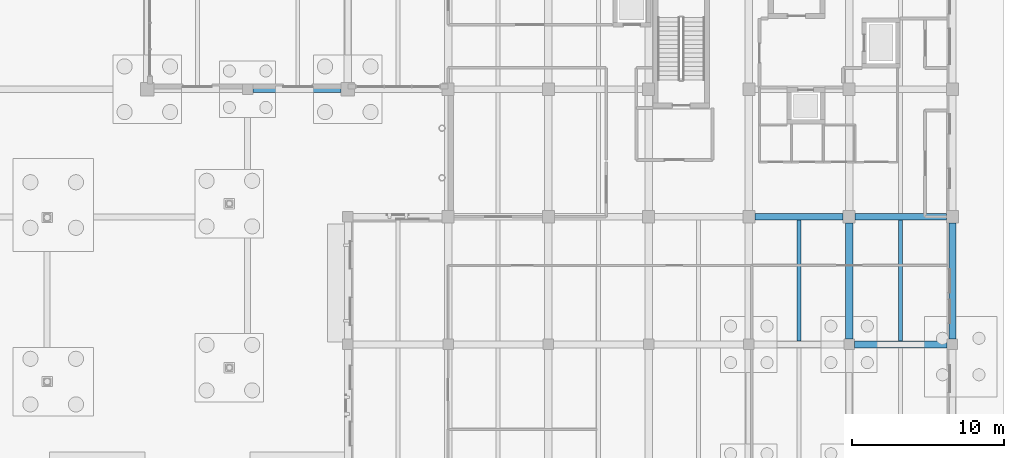
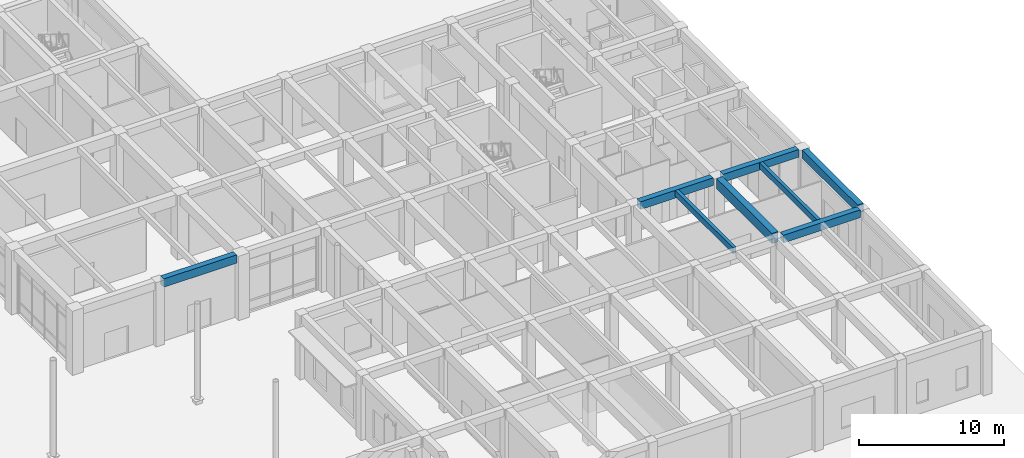
# One storey, part 36 of 82: 8 beams.
"""IFC4 building model written with IfcOpenShell, lengths in metres."""

from ifc_helpers import new_model, si_unit, direction, frame, origin, origin_2d, place, context, subcontext, project, spatial, rectangle, extrude, material, material_profile, profile_set, type_object, element, save


model = new_model("IFC4")

# Units and contexts
model_context = context("Model", 3, precision=1e-05, world=origin(), true_north=direction((0.0, 1.0)))
body_context = subcontext(model_context, "Body", "Model", "MODEL_VIEW")
ifc_project = project(units=[si_unit("LENGTHUNIT", "METRE"), si_unit("AREAUNIT", "SQUARE_METRE"), si_unit("VOLUMEUNIT", "CUBIC_METRE"), si_unit("PLANEANGLEUNIT", "RADIAN"), si_unit("MASSUNIT", "GRAM", prefix="KILO")], contexts=[model_context])

# Site, building, storey
site_placement = place(None, origin())
site = spatial("IfcSite", under=ifc_project, at=site_placement, CompositionType="ELEMENT")
building_placement = place(site_placement, origin())
building = spatial("IfcBuilding", under=site, at=building_placement, Name="Kolvaren Faculty of Natural Sciences", CompositionType="ELEMENT")
storey_placement = place(building_placement, origin())
storey = spatial("IfcBuildingStorey", under=building, at=storey_placement, Name="L00", CompositionType="ELEMENT", Elevation=0.0)

# Beams
ifc_material = material(Name="Concrete C35/45", Category="concrete")
ifc_material_profile_1 = material_profile(ifc_material, rectangle(XDim=0.449951171875, YDim=0.64990234375, at=origin_2d()), Name="RC BM 450x650")
ifc_profile_set_1 = profile_set([ifc_material_profile_1], Name="Concrete C35/45")
beam_type_1 = type_object("IfcBeamType", Name="GridBeam_450x650", PredefinedType="BEAM", material=ifc_profile_set_1)
beam_1_placement = place(storey_placement, frame((165.550048828125, 50.60009765625, 5.074951171875), z_axis=(1.0, 0.0, 0.0), x_axis=(0.0, 1.0, 0.0)))
element("IfcBeam", 1, at=beam_1_placement, inside=storey, type_object=beam_type_1, Name="L00 beam BM-65 on grid G", PredefinedType="BEAM", context=body_context, shape_type="SweptSolid", body=[
    extrude(rectangle(XDim=0.449951171875, YDim=0.64990234375, at=origin_2d()), origin(), (0.0, 0.0, 1.0), 6.099853515625),
])
beam_2_placement = place(storey_placement, frame((159.0, 59.0, 5.074951171875), z_axis=(1.0, 0.0, 0.0), x_axis=(0.0, 1.0, 0.0)))
element("IfcBeam", 2, at=beam_2_placement, inside=storey, type_object=beam_type_1, Name="L00 beam BM-65 on grid H", PredefinedType="BEAM", context=body_context, shape_type="SweptSolid", body=[
    extrude(rectangle(XDim=0.449951171875, YDim=0.64990234375, at=origin_2d()), origin(), (0.0, 0.0, 1.0), 5.800048828125),
])
beam_3_placement = place(storey_placement, frame((165.60009765625, 59.0, 5.074951171875), z_axis=(1.0, 0.0, 0.0), x_axis=(0.0, 1.0, 0.0)))
element("IfcBeam", 3, at=beam_3_placement, inside=storey, type_object=beam_type_1, Name="L00 beam BM-65 on grid H", PredefinedType="BEAM", context=body_context, shape_type="SweptSolid", body=[
    extrude(rectangle(XDim=0.449951171875, YDim=0.64990234375, at=origin_2d()), origin(), (0.0, 0.0, 1.0), 6.0),
])
ifc_material_profile_2 = material_profile(ifc_material, rectangle(XDim=0.260009765625, YDim=0.5, at=origin_2d()), Name="RC JST 260x500")
ifc_profile_set_2 = profile_set([ifc_material_profile_2], Name="Concrete C35/45")
beam_type_2 = type_object("IfcBeamType", Name="LabRibJoist_260x500", PredefinedType="JOIST", material=ifc_profile_set_2)
for number, where, z_axis, x_axis, name in (
    (4, (161.89990234375, 50.824951171875, 5.14990234375), (0.0, 1.0, 0.0), (-1.0, 0.0, 0.0), "L00 ribbed laboratory slab joist JS-50"),
    (5, (168.60009765625, 50.824951171875, 5.14990234375), (0.0, 1.0, 0.0), (-1.0, 0.0, 0.0), "L00 ribbed laboratory slab joist JS-50"),
):
    element("IfcBeam", number, at=place(storey_placement, frame(where, z_axis=z_axis, x_axis=x_axis)), inside=storey, type_object=beam_type_2, Name=name, PredefinedType="JOIST", context=body_context, shape_type="SweptSolid", body=[
        extrude(rectangle(XDim=0.260009765625, YDim=0.5, at=origin_2d()), origin(), (0.0, 0.0, 1.0), 7.949951171875),
    ])
ifc_material_profile_3 = material_profile(ifc_material, rectangle(XDim=0.449951171875, YDim=0.699951171875, at=origin_2d()), Name="RC SP 450x700")
ifc_profile_set_3 = profile_set([ifc_material_profile_3], Name="Concrete C35/45")
beam_type_3 = type_object("IfcBeamType", Name="PerimeterSpandrel_450x700", PredefinedType="SPANDREL", material=ifc_profile_set_3)
beam_4_placement = place(storey_placement, frame((125.949951171875, 67.39990234375, 5.050048828125), z_axis=(1.0, 0.0, 0.0), x_axis=(0.0, 1.0, 0.0)))
element("IfcBeam", 6, at=beam_4_placement, inside=storey, type_object=beam_type_3, Name="L00 spandrel SP-70 on grid J", PredefinedType="SPANDREL", context=body_context, shape_type="SweptSolid", body=[
    extrude(rectangle(XDim=0.449951171875, YDim=0.699951171875, at=origin_2d()), origin(), (0.0, 0.0, 1.0), 5.800048828125),
])
beam_5_placement = place(storey_placement, frame((172.0, 50.949951171875, 5.050048828125), z_axis=(0.0, 1.0, 0.0), x_axis=(-1.0, 0.0, 0.0)))
element("IfcBeam", 7, at=beam_5_placement, inside=storey, type_object=beam_type_3, Name="L00 girder SP-70 on grid 27", PredefinedType="SPANDREL", context=body_context, shape_type="SweptSolid", body=[
    extrude(rectangle(XDim=0.449951171875, YDim=0.699951171875, at=origin_2d()), origin(), (0.0, 0.0, 1.0), 7.650146484375),
])
ifc_material_profile_4 = material_profile(ifc_material, rectangle(XDim=0.5, YDim=0.85009765625, at=origin_2d()), Name="RC BM 500x850")
ifc_profile_set_4 = profile_set([ifc_material_profile_4], Name="Concrete C35/45")
beam_type_4 = type_object("IfcBeamType", Name="PrimaryGirder_500x850", PredefinedType="BEAM", material=ifc_profile_set_4)
beam_6_placement = place(storey_placement, frame((165.199951171875, 50.949951171875, 4.97509765625), z_axis=(0.0, 1.0, 0.0), x_axis=(-1.0, 0.0, 0.0)))
element("IfcBeam", 8, at=beam_6_placement, inside=storey, type_object=beam_type_4, Name="L00 girder BG-85 on grid 26", PredefinedType="BEAM", context=body_context, shape_type="SweptSolid", body=[
    extrude(rectangle(XDim=0.5, YDim=0.85009765625, at=origin_2d()), origin(), (0.0, 0.0, 1.0), 7.650146484375),
])

save(model, "model.ifc")
